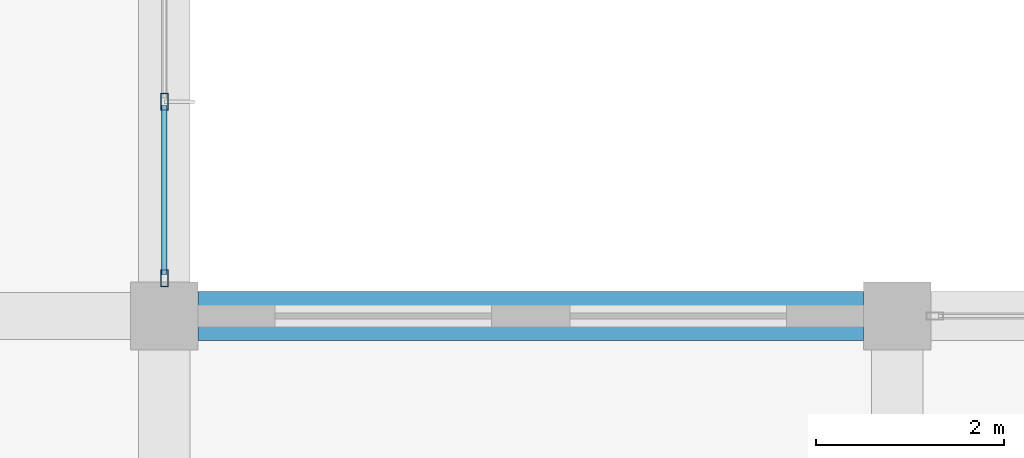
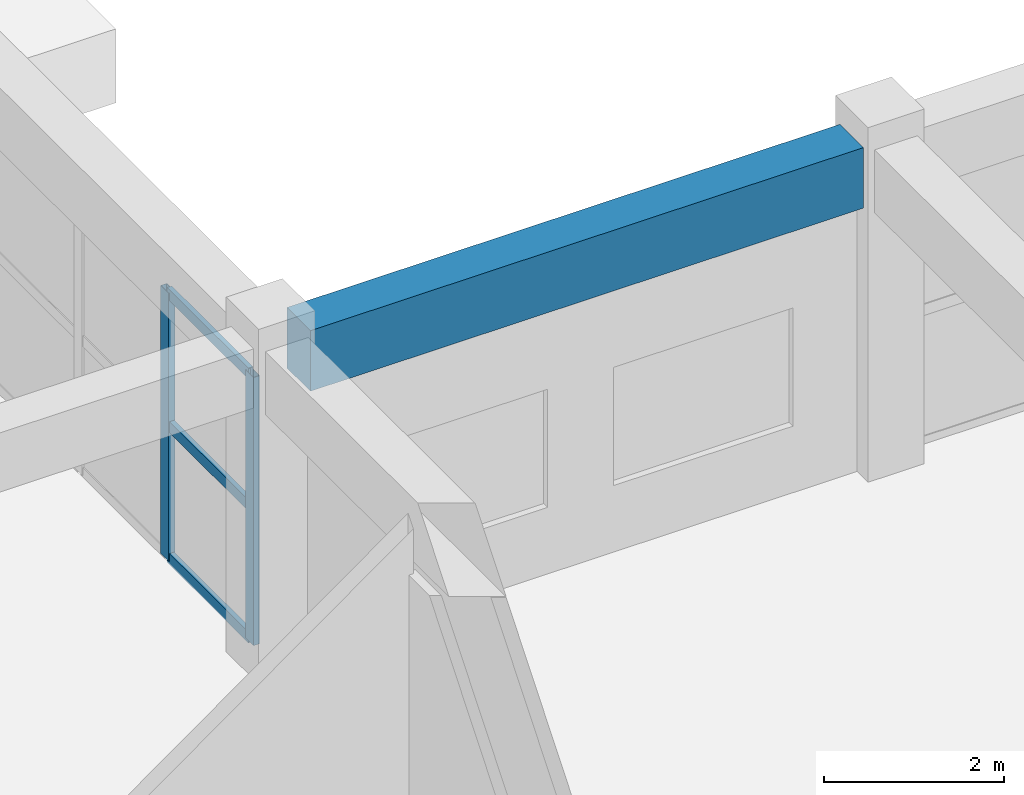
# One storey, part 82 of 139: 5 members, 1 beam, 1 element without a shape of its own.
"""IFC4 building model written with IfcOpenShell, lengths in metres."""

import ifcopenshell
import ifcopenshell.guid

model = None  # the IFC model being written
_history = None  # IfcOwnerHistory: only IFC2X3 demands one
_inside = {}  # id of a spatial element -> (the spatial element, [elements in it])
_under = {}  # id of a project, library or spatial element -> (it, [spatial elements below it])
_declared = {}  # id of a project -> (the project, [libraries it declares])
_typed = {}  # id of a type object -> (the type object, [elements of that type])
_made_of = {}  # id of a material, layer set ... -> (it, [elements and type objects made of it])


def new_model(schema):
    """Start an empty IFC model of exactly this schema.

    Asked for "IFC4X3", IfcOpenShell would pick the latest addendum, in which some entities
    have other attributes; the version numbers below select the first issue.
    IFC2X3 requires an IfcOwnerHistory on every rooted entity: one is made here for all.
    """
    global model, _history
    if schema == "IFC4X3":
        model = ifcopenshell.file(schema_version=(4, 3, 0, 0))
    else:
        model = ifcopenshell.file(schema=schema)
    _inside.clear()
    _under.clear()
    _declared.clear()
    _typed.clear()
    _made_of.clear()
    _history = None
    if model.schema == "IFC2X3":
        org = make("IfcOrganization", Name="unknown")
        user = make(
            "IfcPersonAndOrganization",
            ThePerson=make("IfcPerson", FamilyName="unknown"),
            TheOrganization=org,
        )
        app = make(
            "IfcApplication",
            ApplicationDeveloper=org,
            Version="unknown",
            ApplicationFullName="unknown",
            ApplicationIdentifier="unknown",
        )
        _history = make(
            "IfcOwnerHistory",
            OwningUser=user,
            OwningApplication=app,
            ChangeAction="ADDED",
            CreationDate=0,
        )
    return model


def make(cls, **values):
    """One entity of the class cls with the attributes given. An attribute that is None is left unset."""
    return model.create_entity(
        cls, **{name: value for name, value in values.items() if value is not None}
    )


def rooted(cls, **values):
    """An entity with a GlobalId (a new one), such as an element, a storey or a relation."""
    return make(cls, GlobalId=ifcopenshell.guid.new(), OwnerHistory=_history, **values)


def si_unit(unit_type, name, prefix=None):
    """IfcSIUnit, for example si_unit("LENGTHUNIT", "METRE", prefix="MILLI")."""
    return make("IfcSIUnit", UnitType=unit_type, Prefix=prefix, Name=name)


def assignment(units):
    """IfcUnitAssignment: the units of a project."""
    return None if units is None else make("IfcUnitAssignment", Units=units)


def point(xyz):
    """IfcCartesianPoint."""
    return None if xyz is None else make("IfcCartesianPoint", Coordinates=xyz)


def direction(xyz):
    """IfcDirection."""
    return None if xyz is None else make("IfcDirection", DirectionRatios=xyz)


def frame(location, z_axis=None, x_axis=None):
    """IfcAxis2Placement3D, a coordinate frame: its origin and axes. An axis left out is left unset."""
    return make(
        "IfcAxis2Placement3D",
        Location=point(location),
        Axis=direction(z_axis),
        RefDirection=direction(x_axis),
    )


def frame_2d(location, x_axis=None):
    """IfcAxis2Placement2D, a coordinate frame in the plane: its origin and x axis."""
    return make(
        "IfcAxis2Placement2D", Location=point(location), RefDirection=direction(x_axis)
    )


def origin():
    """The frame at (0, 0, 0) with its axes left unset."""
    return frame((0.0, 0.0, 0.0))


def origin_2d():
    """The frame at (0, 0) in the plane with its x axis left unset."""
    return frame_2d((0.0, 0.0))


def place(relative_to, where):
    """IfcLocalPlacement: puts the frame where relative to a parent placement (None: the world)."""
    return make(
        "IfcLocalPlacement", PlacementRelTo=relative_to, RelativePlacement=where
    )


def context(
    kind, dimensions, precision=None, world=None, true_north=None, identifier=None
):
    """IfcGeometricRepresentationContext, for example the 3D "Model" context."""
    return make(
        "IfcGeometricRepresentationContext",
        ContextIdentifier=identifier,
        ContextType=kind,
        CoordinateSpaceDimension=dimensions,
        Precision=precision,
        WorldCoordinateSystem=world,
        TrueNorth=true_north,
    )


def subcontext(parent, identifier, kind, view, scale=None):
    """IfcGeometricRepresentationSubContext, for example "Body" below "Model"."""
    return make(
        "IfcGeometricRepresentationSubContext",
        ContextIdentifier=identifier,
        ContextType=kind,
        ParentContext=parent,
        TargetScale=scale,
        TargetView=view,
    )


def project(units=None, contexts=None):
    """IfcProject with its units and contexts."""
    return rooted(
        "IfcProject",
        Name="project",
        RepresentationContexts=contexts,
        UnitsInContext=assignment(units),
    )


def spatial(cls, under=None, at=None, **own):
    """A site, building, storey or space (cls), placed at a placement, below another one or the project."""
    s = rooted(cls, ObjectPlacement=at, **own)
    if under is not None:
        _under.setdefault(under.id(), (under, []))[1].append(s)
    return s


def profile(cls, at=None, kind="AREA", **sizes):
    """A parametric profile (cls). Its sizes go by their IFC names, for example OverallWidth=200.0."""
    return make(cls, ProfileType=kind, Position=at, **sizes)


def rectangle(**sizes):
    """IfcRectangleProfileDef."""
    return profile("IfcRectangleProfileDef", **sizes)


def hollow_rectangle(**sizes):
    """IfcRectangleHollowProfileDef."""
    return profile("IfcRectangleHollowProfileDef", **sizes)


def extrude(swept, where, along, depth):
    """IfcExtrudedAreaSolid: the profile swept, set in the frame where, extruded along a direction by depth."""
    return make(
        "IfcExtrudedAreaSolid",
        SweptArea=swept,
        Position=where,
        ExtrudedDirection=direction(along),
        Depth=depth,
    )


def shape(context_of_items, identifier, shape_type, items):
    """IfcShapeRepresentation: the items that make up one representation, for example the "Body"."""
    return make(
        "IfcShapeRepresentation",
        ContextOfItems=context_of_items,
        RepresentationIdentifier=identifier,
        RepresentationType=shape_type,
        Items=items,
    )


def material(Name=None, Category=None):
    """IfcMaterial."""
    return make("IfcMaterial", Name=Name, Category=Category)


def layer(
    of_material, thickness, ventilated=None, Name=None, Category=None, Priority=None
):
    """IfcMaterialLayer: one layer of a wall or slab, of a material (None: an air gap)."""
    return make(
        "IfcMaterialLayer",
        Material=of_material,
        LayerThickness=thickness,
        IsVentilated=ventilated,
        Name=Name,
        Category=Category,
        Priority=Priority,
    )


def layer_set(layers, Name=None):
    """IfcMaterialLayerSet."""
    return make("IfcMaterialLayerSet", MaterialLayers=layers, LayerSetName=Name)


def material_profile(
    of_material, cross_section, Name=None, Category=None, Priority=None
):
    """IfcMaterialProfile: a cross section and its material."""
    return make(
        "IfcMaterialProfile",
        Name=Name,
        Material=of_material,
        Profile=cross_section,
        Priority=Priority,
        Category=Category,
    )


def profile_set(profiles, Name=None, composite=None):
    """IfcMaterialProfileSet."""
    return make(
        "IfcMaterialProfileSet",
        Name=Name,
        MaterialProfiles=profiles,
        CompositeProfile=composite,
    )


def made_of(thing, what):
    """Note that an element or type object is made of a material, layer set ...; save() writes the relation."""
    if what is not None:
        _made_of.setdefault(what.id(), (what, []))[1].append(thing)
    return thing


def type_object(cls, material=None, **own):
    """A type object (cls), such as IfcWallType, which elements share."""
    return made_of(rooted(cls, **own), material)


def element(
    cls,
    number,
    at=None,
    inside=None,
    cuts=None,
    type_object=None,
    material=None,
    context=None,
    identifier="Body",
    shape_type=None,
    held_by="IfcProductDefinitionShape",
    body=None,
    shapes=None,
    **own,
):
    """One element of the class cls, such as IfcWall. Its Tag is "e" and its number.

    at: its placement. inside: the storey or other place that contains it. cuts: it is an
    opening in that element (IfcRelVoidsElement). A single representation is given by context,
    identifier, shape_type and body (its items); several are given by shapes. held_by: the class
    of the entity that holds the representations. save() writes the other relations.
    """
    e = rooted(cls, Tag="e%d" % number, ObjectPlacement=at, **own)
    if body is not None:
        shapes = [shape(context, identifier, shape_type, body)]
    if shapes is not None:
        e.Representation = make(held_by, Representations=shapes)
    if inside is not None:
        _inside.setdefault(inside.id(), (inside, []))[1].append(e)
    if cuts is not None:
        rooted(
            "IfcRelVoidsElement", RelatingBuildingElement=cuts, RelatedOpeningElement=e
        )
    if type_object is not None:
        _typed.setdefault(type_object.id(), (type_object, []))[1].append(e)
    return made_of(e, material)


def aggregate(whole, parts):
    """IfcRelAggregates: a whole, such as a stair, and the parts it consists of."""
    return rooted("IfcRelAggregates", RelatingObject=whole, RelatedObjects=parts)


def save(model, path):
    """Write the relations noted so far, then the file.

    IfcRelAggregates (storeys below a building ...), IfcRelContainedInSpatialStructure (elements
    in a storey), IfcRelDefinesByType, IfcRelAssociatesMaterial and IfcRelDeclares: one each for
    every whole, place, type object, material and project.
    """
    for whole, parts in _under.values():
        aggregate(whole, parts)
    for where, things in _inside.values():
        rooted(
            "IfcRelContainedInSpatialStructure",
            RelatedElements=things,
            RelatingStructure=where,
        )
    for kind, things in _typed.values():
        rooted("IfcRelDefinesByType", RelatedObjects=things, RelatingType=kind)
    for what, things in _made_of.values():
        rooted("IfcRelAssociatesMaterial", RelatedObjects=things, RelatingMaterial=what)
    for by, libraries in _declared.values():
        rooted("IfcRelDeclares", RelatingContext=by, RelatedDefinitions=libraries)
    model.write(path)


model = new_model("IFC4")

# Units and contexts
model_context = context("Model", 3, precision=1e-05, world=origin(), true_north=direction((0.0, 1.0)))
body_context = subcontext(model_context, "Body", "Model", "MODEL_VIEW")
ifc_project = project(units=[si_unit("LENGTHUNIT", "METRE"), si_unit("AREAUNIT", "SQUARE_METRE"), si_unit("VOLUMEUNIT", "CUBIC_METRE"), si_unit("PLANEANGLEUNIT", "RADIAN"), si_unit("MASSUNIT", "GRAM", prefix="KILO")], contexts=[model_context])

# Site, building, storey
site_placement = place(None, origin())
site = spatial("IfcSite", under=ifc_project, at=site_placement, CompositionType="ELEMENT")
building_placement = place(site_placement, origin())
building = spatial("IfcBuilding", under=site, at=building_placement, Name="Zizhar Promenade General Hospital", CompositionType="ELEMENT")
storey_placement = place(building_placement, origin())
storey = spatial("IfcBuildingStorey", under=building, at=storey_placement, Name="L00", CompositionType="ELEMENT", Elevation=0.0)

# Beam
ifc_material_1 = material(Name="Concrete C35/45", Category="concrete")
ifc_material_profile_1 = material_profile(ifc_material_1, rectangle(XDim=0.52001953125, YDim=0.820068359375, at=origin_2d()))
ifc_profile_set_1 = profile_set([ifc_material_profile_1], Name="Concrete C35/45")
beam_type = type_object("IfcBeamType", Name="BM-RC-520x820", PredefinedType="BEAM", material=ifc_profile_set_1)
beam_placement = place(storey_placement, frame((132.9599609375, 109.199951171875, 4.06005859375), z_axis=(1.0, 0.0, 0.0), x_axis=(0.0, 1.0, 0.0)))
element("IfcBeam", 1, at=beam_placement, inside=storey, type_object=beam_type, Name="Grid Beam X L00 (17-13)", PredefinedType="BEAM", context=body_context, shape_type="SweptSolid", body=[
    extrude(rectangle(XDim=0.52001953125, YDim=0.820068359375, at=origin_2d()), origin(), (0.0, 0.0, 1.0), 7.080078125),
])

# Curtain wall, members
ifc_material_2 = material(Name="Anodised aluminium 6063-T6 and low-E glass", Category="aluminium")
ifc_layer = layer(ifc_material_2, 0.159912109375)
ifc_layer_set = layer_set([ifc_layer], Name="Anodised aluminium 6063-T6 and low-E glass")
curtain_wall_type = type_object("IfcCurtainWallType", Name="CW-DT-MOD1", PredefinedType="NOTDEFINED", material=ifc_layer_set)
curtain_wall_placement = place(storey_placement, origin())
curtain_wall = element("IfcCurtainWall", 2, at=curtain_wall_placement, inside=storey, type_object=curtain_wall_type, Name="Surgical East Glazed Curtain Wall L00-13", PredefinedType="NOTDEFINED")
ifc_material_3 = material(Name="Anodised aluminium 6063-T6", Category="aluminium")
ifc_material_profile_2 = material_profile(ifc_material_3, hollow_rectangle(XDim=0.080078125, YDim=0.179931640625, WallThickness=0.0048828125, at=origin_2d()))
ifc_profile_set_2 = profile_set([ifc_material_profile_2], Name="Anodised aluminium 6063-T6")
member_type_1 = type_object("IfcMemberType", Name="CWM-ALU-180x80", PredefinedType="MULLION", material=ifc_profile_set_2)
member_1_placement = place(storey_placement, frame((132.60009765625, 111.47998046875, 0.0), z_axis=(0.0, 0.0, 1.0), x_axis=(1.0, 0.0, 0.0)))
member_1 = element("IfcMember", 3, at=member_1_placement, type_object=member_type_1, Name="CW-07 mullion 4", PredefinedType="MULLION", context=body_context, shape_type="SweptSolid", body=[
    extrude(hollow_rectangle(XDim=0.080078125, YDim=0.179931640625, WallThickness=0.0048828125, at=origin_2d()), origin(), (0.0, 0.0, 1.0), 3.6298828125),
])
member_2_placement = place(storey_placement, frame((132.60009765625, 109.60009765625, 0.0), z_axis=(0.0, 0.0, 1.0), x_axis=(1.0, 0.0, 0.0)))
member_2 = element("IfcMember", 4, at=member_2_placement, type_object=member_type_1, Name="CW-07 mullion 5", PredefinedType="MULLION", context=body_context, shape_type="SweptSolid", body=[
    extrude(hollow_rectangle(XDim=0.080078125, YDim=0.179931640625, WallThickness=0.0048828125, at=origin_2d()), origin(), (0.0, 0.0, 1.0), 3.6298828125),
])
ifc_material_4 = material(Name="Anodised aluminium 6063-T6", Category="aluminium")
ifc_material_profile_3 = material_profile(ifc_material_4, hollow_rectangle(XDim=0.06005859375, YDim=0.14990234375, WallThickness=0.00390625, at=origin_2d()))
ifc_profile_set_3 = profile_set([ifc_material_profile_3], Name="Anodised aluminium 6063-T6")
member_type_2 = type_object("IfcMemberType", Name="CWT-ALU-150x60", PredefinedType="USERDEFINED", material=ifc_profile_set_3)
member_3_placement = place(storey_placement, frame((132.60009765625, 111.43994140625, 0.030029296875), z_axis=(0.0, -1.0, 0.0), x_axis=(1.0, 0.0, 0.0)))
member_3 = element("IfcMember", 5, at=member_3_placement, type_object=member_type_2, Name="CW-07 transom 4.1", ObjectType="TRANSOM", PredefinedType="USERDEFINED", context=body_context, shape_type="SweptSolid", body=[
    extrude(hollow_rectangle(XDim=0.06005859375, YDim=0.14990234375, WallThickness=0.00390625, at=origin_2d()), origin(), (0.0, 0.0, 1.0), 1.800048828125),
])
member_4_placement = place(storey_placement, frame((132.60009765625, 111.43994140625, 1.81494140625), z_axis=(0.0, -1.0, 0.0), x_axis=(1.0, 0.0, 0.0)))
member_4 = element("IfcMember", 6, at=member_4_placement, type_object=member_type_2, Name="CW-07 transom 4.2", ObjectType="TRANSOM", PredefinedType="USERDEFINED", context=body_context, shape_type="SweptSolid", body=[
    extrude(hollow_rectangle(XDim=0.06005859375, YDim=0.14990234375, WallThickness=0.00390625, at=origin_2d()), origin(), (0.0, 0.0, 1.0), 1.800048828125),
])
member_5_placement = place(storey_placement, frame((132.60009765625, 111.43994140625, 3.60009765625), z_axis=(0.0, -1.0, 0.0), x_axis=(1.0, 0.0, 0.0)))
member_5 = element("IfcMember", 7, at=member_5_placement, type_object=member_type_2, Name="CW-07 transom 4.3", ObjectType="TRANSOM", PredefinedType="USERDEFINED", context=body_context, shape_type="SweptSolid", body=[
    extrude(hollow_rectangle(XDim=0.06005859375, YDim=0.14990234375, WallThickness=0.00390625, at=origin_2d()), origin(), (0.0, 0.0, 1.0), 1.800048828125),
])
aggregate(curtain_wall, [member_1, member_2, member_3, member_4, member_5])

save(model, "model.ifc")
